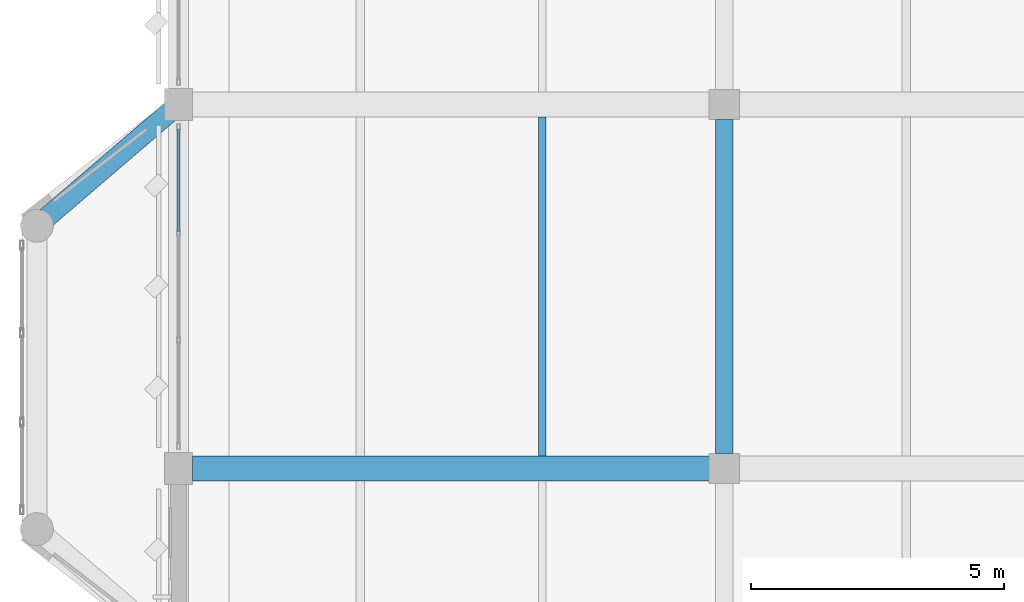
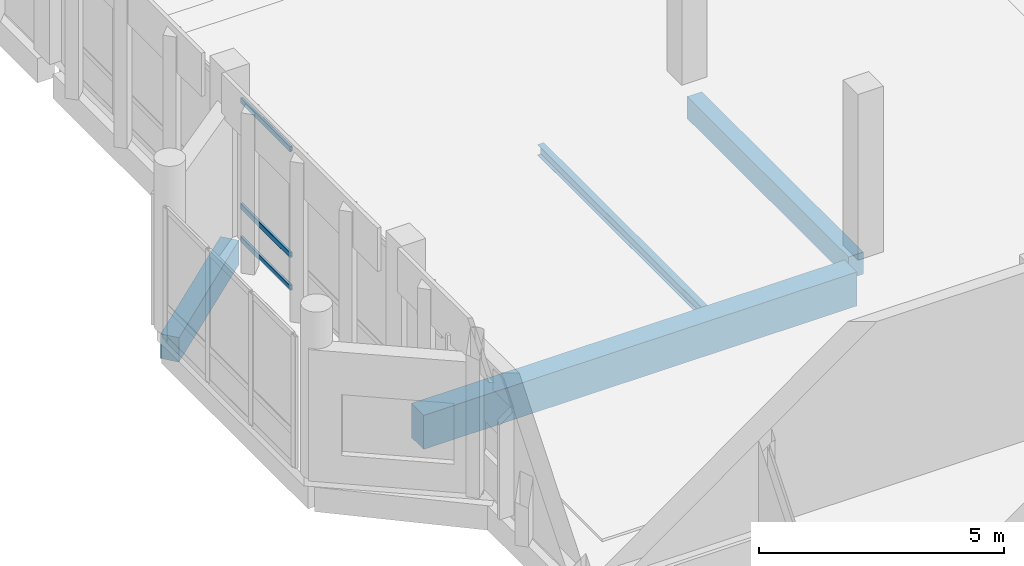
# One storey, part 34 of 158: 4 beams, 3 members, 1 element without a shape of its own.
"""IFC4 building model written with IfcOpenShell, lengths in metres."""

from ifc_helpers import new_model, si_unit, direction, frame, origin, origin_2d, place, context, subcontext, project, spatial, rectangle, hollow_rectangle, i_section, extrude, material, material_profile, profile_set, type_object, element, aggregate, save


model = new_model("IFC4")

# Units and contexts
model_context = context("Model", 3, precision=1e-05, world=origin(), true_north=direction((0.0, 1.0)))
body_context = subcontext(model_context, "Body", "Model", "MODEL_VIEW")
ifc_project = project(units=[si_unit("LENGTHUNIT", "METRE"), si_unit("AREAUNIT", "SQUARE_METRE"), si_unit("VOLUMEUNIT", "CUBIC_METRE"), si_unit("PLANEANGLEUNIT", "RADIAN"), si_unit("MASSUNIT", "GRAM", prefix="KILO")], contexts=[model_context])

# Site, building, storey
site_placement = place(None, origin())
site = spatial("IfcSite", under=ifc_project, at=site_placement, CompositionType="ELEMENT")
building_placement = place(site_placement, origin())
building = spatial("IfcBuilding", under=site, at=building_placement, Name="Lusvemor Sports Hall", CompositionType="ELEMENT")
storey_placement = place(building_placement, frame((0.0, 0.0, 10.800048828125)))
storey = spatial("IfcBuildingStorey", under=building, at=storey_placement, Name="L02", CompositionType="ELEMENT", Elevation=10.800048828125)

# Beam
ifc_material_1 = material(Name="Concrete C40/50", Category="concrete")
ifc_material_profile_1 = material_profile(ifc_material_1, rectangle(XDim=0.35009765625, YDim=0.550048828125, at=origin_2d()), Name="RC350x550")
ifc_profile_set_1 = profile_set([ifc_material_profile_1], Name="Concrete C40/50")
beam_type_1 = type_object("IfcBeamType", Name="BEAM_RC_550", PredefinedType="BEAM", material=ifc_profile_set_1)
beam_1_placement = place(storey_placement, frame((10.800048828125, 83.095947265625, -0.53515625), z_axis=(0.0, 1.0, 0.0), x_axis=(-1.0, 0.0, 0.0)))
element("IfcBeam", 1, at=beam_1_placement, inside=storey, type_object=beam_type_1, Name="Beam L02 2:L-M", PredefinedType="BEAM", context=body_context, shape_type="SweptSolid", body=[
    extrude(rectangle(XDim=0.35009765625, YDim=0.550048828125, at=origin_2d()), origin(), (0.0, 0.0, 1.0), 6.608154296875),
])

# Curtain wall, members
ifc_material_2 = material(Name="Thermally broken bronze-anodized aluminium", Category="aluminium")
curtain_wall_type = type_object("IfcCurtainWallType", Name="CW_WING_B", PredefinedType="NOTDEFINED", material=ifc_material_2)
curtain_wall_placement = place(storey_placement, origin())
curtain_wall = element("IfcCurtainWall", 2, at=curtain_wall_placement, inside=storey, type_object=curtain_wall_type, Name="Curtain Wall CW-L02-W-0-5", PredefinedType="NOTDEFINED")
ifc_material_3 = material(Name="Thermally broken bronze-anodized aluminium", Category="aluminium")
ifc_material_profile_2 = material_profile(ifc_material_3, hollow_rectangle(XDim=0.06005859375, YDim=0.135009765625, WallThickness=0.00390625, InnerFilletRadius=0.00390625, OuterFilletRadius=0.008056640625, at=origin_2d()), Name="CWTRN135x60x4")
ifc_profile_set_2 = profile_set([ifc_material_profile_2], Name="Thermally broken bronze-anodized aluminium")
member_type = type_object("IfcMemberType", Name="CW_TRN_B", PredefinedType="USERDEFINED", material=ifc_profile_set_2)
member_1_placement = place(storey_placement, frame((0.0, 87.492431640625, 0.030029296875), z_axis=(0.0, 1.0, 0.0), x_axis=(-1.0, 0.0, 0.0)))
member_1 = element("IfcMember", 3, at=member_1_placement, type_object=member_type, Name="CW02 transom 3.1", ObjectType="TRANSOM", PredefinedType="USERDEFINED", context=body_context, shape_type="SweptSolid", body=[
    extrude(hollow_rectangle(XDim=0.06005859375, YDim=0.135009765625, WallThickness=0.00390625, InnerFilletRadius=0.00390625, OuterFilletRadius=0.008056640625, at=origin_2d()), origin(), (0.0, 0.0, 1.0), 2.0224609375),
])
member_2_placement = place(storey_placement, frame((0.0, 87.492431640625, 0.849853515625), z_axis=(0.0, 1.0, 0.0), x_axis=(-1.0, 0.0, 0.0)))
member_2 = element("IfcMember", 4, at=member_2_placement, type_object=member_type, Name="CW02 transom 3.2", ObjectType="TRANSOM", PredefinedType="USERDEFINED", context=body_context, shape_type="SweptSolid", body=[
    extrude(hollow_rectangle(XDim=0.06005859375, YDim=0.135009765625, WallThickness=0.00390625, InnerFilletRadius=0.00390625, OuterFilletRadius=0.008056640625, at=origin_2d()), origin(), (0.0, 0.0, 1.0), 2.0224609375),
])
member_3_placement = place(storey_placement, frame((0.0, 87.492431640625, 3.489990234375), z_axis=(0.0, 1.0, 0.0), x_axis=(-1.0, 0.0, 0.0)))
member_3 = element("IfcMember", 5, at=member_3_placement, type_object=member_type, Name="CW02 transom 3.3", ObjectType="TRANSOM", PredefinedType="USERDEFINED", context=body_context, shape_type="SweptSolid", body=[
    extrude(hollow_rectangle(XDim=0.06005859375, YDim=0.135009765625, WallThickness=0.00390625, InnerFilletRadius=0.00390625, OuterFilletRadius=0.008056640625, at=origin_2d()), origin(), (0.0, 0.0, 1.0), 2.0224609375),
])
aggregate(curtain_wall, [member_1, member_2, member_3])

# Beams
ifc_material_4 = material(Name="Concrete C40/50", Category="concrete")
ifc_material_profile_3 = material_profile(ifc_material_4, rectangle(XDim=0.5, YDim=0.85009765625, at=origin_2d()), Name="RC500x850")
ifc_profile_set_3 = profile_set([ifc_material_profile_3], Name="Concrete C40/50")
beam_type_2 = type_object("IfcBeamType", Name="GIRD_RC_850", PredefinedType="T_BEAM", material=ifc_profile_set_3)
beam_2_placement = place(storey_placement, frame((0.27587890625, 82.800048828125, -0.68505859375), z_axis=(1.0, 0.0, 0.0), x_axis=(0.0, 1.0, 0.0)))
element("IfcBeam", 6, at=beam_2_placement, inside=storey, type_object=beam_type_2, Name="Beam L02 L:1-2", PredefinedType="T_BEAM", context=body_context, shape_type="SweptSolid", body=[
    extrude(rectangle(XDim=0.5, YDim=0.85009765625, at=origin_2d()), origin(), (0.0, 0.0, 1.0), 10.22802734375),
])
ifc_material_5 = material(Name="Steel S355", Category="steel")
ifc_material_profile_4 = material_profile(ifc_material_5, i_section(OverallWidth=0.14794921875, OverallDepth=0.26611328125, WebThickness=0.007568359375, FlangeThickness=0.012939453125, FilletRadius=0.012939453125, at=origin_2d()), Name="W250x44.8")
ifc_profile_set_4 = profile_set([ifc_material_profile_4], Name="Steel S355")
beam_type_3 = type_object("IfcBeamType", Name="JOIST_ST_250M", PredefinedType="JOIST", material=ifc_profile_set_4)
beam_3_placement = place(storey_placement, frame((7.199951171875, 83.0458984375, -0.39697265625), z_axis=(0.0, 1.0, 0.0), x_axis=(-1.0, 0.0, 0.0)))
element("IfcBeam", 7, at=beam_3_placement, inside=storey, type_object=beam_type_3, Name="Secondary Joist L02 1-2/L-M #2", PredefinedType="JOIST", context=body_context, shape_type="SweptSolid", body=[
    extrude(i_section(OverallWidth=0.14794921875, OverallDepth=0.26611328125, WebThickness=0.007568359375, FlangeThickness=0.012939453125, FilletRadius=0.012939453125, at=origin_2d()), origin(), (0.0, 0.0, 1.0), 6.7080078125),
])
ifc_material_6 = material(Name="Concrete C40/50", Category="concrete")
ifc_material_profile_5 = material_profile(ifc_material_6, rectangle(XDim=0.39990234375, YDim=0.610107421875, at=origin_2d()), Name="RC400x610")
ifc_profile_set_5 = profile_set([ifc_material_profile_5], Name="Concrete C40/50")
beam_type_4 = type_object("IfcBeamType", Name="SPAND_EXT_650", PredefinedType="SPANDREL", material=ifc_profile_set_5)
beam_4_placement = place(storey_placement, frame((-2.800048828125, 87.60009765625, -0.56494140625), z_axis=(0.759275294494, 0.650769565339, 0.0), x_axis=(-0.650769565339, 0.759275294494, 0.0)))
element("IfcBeam", 8, at=beam_4_placement, inside=storey, type_object=beam_type_4, Name="Bow Pavilion Edge Beam BOW-W2 L02-3", PredefinedType="SPANDREL", context=body_context, shape_type="SweptSolid", body=[
    extrude(rectangle(XDim=0.39990234375, YDim=0.610107421875, at=origin_2d()), origin(), (0.0, 0.0, 1.0), 3.687744140625),
])

save(model, "model.ifc")
